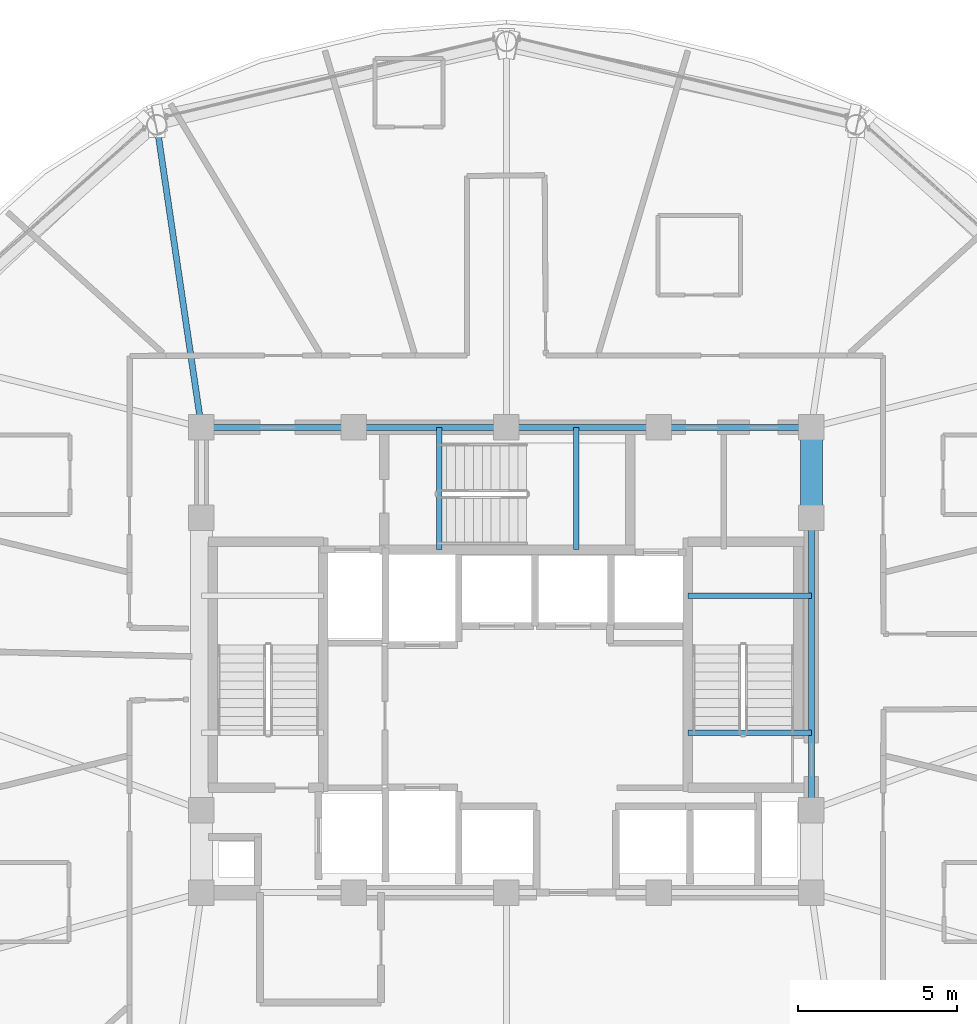
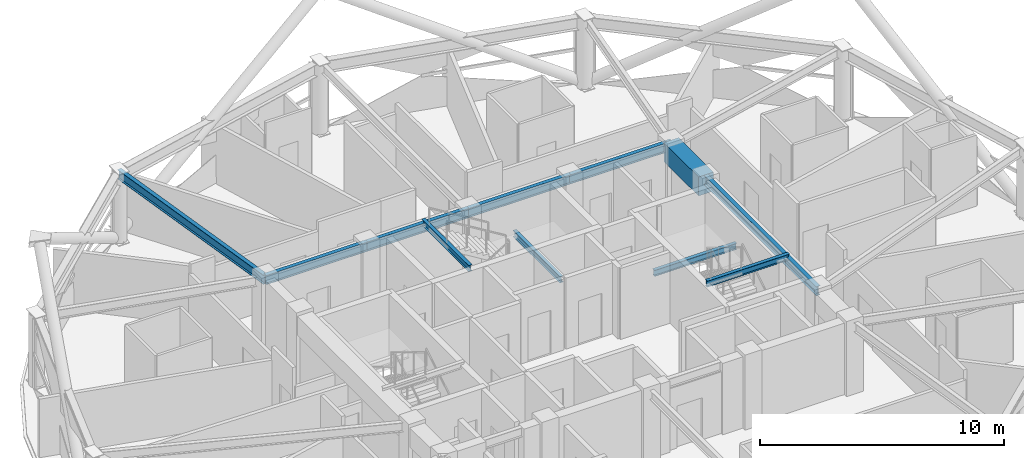
# One storey, part 10 of 29: 11 beams.
"""IFC4 building model written with IfcOpenShell, lengths in metres."""

from ifc_helpers import new_model, si_unit, direction, frame, origin, origin_2d, place, context, subcontext, project, spatial, rectangle, i_section, extrude, material, material_profile, profile_set, type_object, element, save


model = new_model("IFC4")

# Units and contexts
model_context = context("Model", 3, precision=1e-05, world=origin(), true_north=direction((0.0, 1.0)))
body_context = subcontext(model_context, "Body", "Model", "MODEL_VIEW")
ifc_project = project(units=[si_unit("LENGTHUNIT", "METRE"), si_unit("AREAUNIT", "SQUARE_METRE"), si_unit("VOLUMEUNIT", "CUBIC_METRE"), si_unit("PLANEANGLEUNIT", "RADIAN"), si_unit("MASSUNIT", "GRAM", prefix="KILO")], contexts=[model_context])

# Site, building, storey
site_placement = place(None, origin())
site = spatial("IfcSite", under=ifc_project, at=site_placement, CompositionType="ELEMENT")
building_placement = place(site_placement, origin())
building = spatial("IfcBuilding", under=site, at=building_placement, Name="Vantalir Tower", CompositionType="ELEMENT")
storey_placement = place(building_placement, frame((0.0, 0.0, 227.39990234375)))
storey = spatial("IfcBuildingStorey", under=building, at=storey_placement, Name="L57", CompositionType="ELEMENT", Elevation=227.39990234375)

# Beams
ifc_material_1 = material(Name="Concrete C60/75", Category="concrete")
ifc_material_profile_1 = material_profile(ifc_material_1, rectangle(XDim=0.699951171875, YDim=0.949951171875, at=origin_2d()), Name="Concrete C60/75")
ifc_profile_set_1 = profile_set([ifc_material_profile_1], Name="Concrete C60/75")
beam_type_1 = type_object("IfcBeamType", Name="BM-CB-700x950", PredefinedType="USERDEFINED", material=ifc_profile_set_1)
beam_1_placement = place(storey_placement, frame((41.10009765625, 29.60009765625, 3.09521484375), z_axis=(0.0, 1.0, 0.0), x_axis=(-1.0, 0.0, 0.0)))
element("IfcBeam", 1, at=beam_1_placement, inside=storey, type_object=beam_type_1, Name="L57 Core Coupling Girder 07", ObjectType="GIRDER", PredefinedType="USERDEFINED", context=body_context, shape_type="SweptSolid", body=[
    extrude(rectangle(XDim=0.699951171875, YDim=0.949951171875, at=origin_2d()), origin(), (0.0, 0.0, 1.0), 2.849853515625),
])
ifc_material_2 = material(Name="Steel S355", Category="steel")
ifc_material_profile_2 = material_profile(ifc_material_2, i_section(OverallWidth=0.166015625, OverallDepth=0.306884765625, WebThickness=0.006591796875, FlangeThickness=0.01171875, at=origin_2d()), Name="Steel S355")
ifc_profile_set_2 = profile_set([ifc_material_profile_2], Name="Steel S355")
beam_type_2 = type_object("IfcBeamType", Name="BM-JS-305x165", PredefinedType="JOIST", material=ifc_profile_set_2)
for number, where, z_axis, x_axis, name in (
    (2, (37.2099609375, 22.8349609375, 3.59619140625), (1.0, 0.0, 0.0), (0.0, 1.0, 0.0), "L58 Stair ST2 Well Nosing Trimmer Beam"),
    (3, (37.2099609375, 27.14501953125, 1.52099609375), (1.0, 0.0, 0.0), (0.0, 1.0, 0.0), "L57 Stair ST2 Half-Landing Support Beam"),
):
    element("IfcBeam", number, at=place(storey_placement, frame(where, z_axis=z_axis, x_axis=x_axis)), inside=storey, type_object=beam_type_2, Name=name, PredefinedType="JOIST", context=body_context, shape_type="SweptSolid", body=[
        extrude(i_section(OverallWidth=0.166015625, OverallDepth=0.306884765625, WebThickness=0.006591796875, FlangeThickness=0.01171875, at=origin_2d()), origin(), (0.0, 0.0, 1.0), 3.89013671875),
    ])
for number, where, z_axis, x_axis, name in (
    (4, (29.385009765625, 28.60009765625, 3.59619140625), (0.0, 1.0, 0.0), (-1.0, 0.0, 0.0), "L58 Stair ST3 Well Nosing Trimmer Beam"),
    (5, (33.695068359375, 28.60009765625, 1.52099609375), (0.0, 1.0, 0.0), (-1.0, 0.0, 0.0), "L57 Stair ST3 Half-Landing Support Beam"),
):
    element("IfcBeam", number, at=place(storey_placement, frame(where, z_axis=z_axis, x_axis=x_axis)), inside=storey, type_object=beam_type_2, Name=name, PredefinedType="JOIST", context=body_context, shape_type="SweptSolid", body=[
        extrude(i_section(OverallWidth=0.166015625, OverallDepth=0.306884765625, WebThickness=0.006591796875, FlangeThickness=0.01171875, at=origin_2d()), origin(), (0.0, 0.0, 1.0), 3.849853515625),
    ])
ifc_material_profile_3 = material_profile(ifc_material_2, i_section(OverallWidth=0.19189453125, OverallDepth=0.462890625, WebThickness=0.010498046875, FlangeThickness=0.017578125, at=origin_2d()), Name="Steel S355")
ifc_profile_set_3 = profile_set([ifc_material_profile_3], Name="Steel S355")
beam_type_3 = type_object("IfcBeamType", Name="BM-RB-457x191", PredefinedType="BEAM", material=ifc_profile_set_3)
beam_2_placement = place(storey_placement, frame((41.10009765625, 20.39990234375, 3.338134765625), z_axis=(0.0, 1.0, 0.0), x_axis=(-1.0, 0.0, 0.0)))
element("IfcBeam", 6, at=beam_2_placement, inside=storey, type_object=beam_type_3, Name="L57 Core Coupling Girder 06", PredefinedType="BEAM", context=body_context, shape_type="SweptSolid", body=[
    extrude(i_section(OverallWidth=0.19189453125, OverallDepth=0.462890625, WebThickness=0.010498046875, FlangeThickness=0.017578125, at=origin_2d()), origin(), (0.0, 0.0, 1.0), 9.2001953125),
])
for number, where, z_axis, x_axis, name in (
    (7, (41.10009765625, 32.449951171875, 3.338134765625), (-1.0, 0.0, 0.0), (0.0, -1.0, 0.0), "L57 Core Coupling Girder 08"),
    (8, (36.300048828125, 32.449951171875, 3.338134765625), (-1.0, 0.0, 0.0), (0.0, -1.0, 0.0), "L57 Core Coupling Girder 09"),
    (9, (31.5, 32.449951171875, 3.338134765625), (-1.0, 0.0, 0.0), (0.0, -1.0, 0.0), "L57 Core Coupling Girder 10"),
    (10, (26.699951171875, 32.449951171875, 3.338134765625), (-1.0, 0.0, 0.0), (0.0, -1.0, 0.0), "L57 Core Coupling Girder 11"),
):
    element("IfcBeam", number, at=place(storey_placement, frame(where, z_axis=z_axis, x_axis=x_axis)), inside=storey, type_object=beam_type_3, Name=name, PredefinedType="BEAM", context=body_context, shape_type="SweptSolid", body=[
        extrude(i_section(OverallWidth=0.19189453125, OverallDepth=0.462890625, WebThickness=0.010498046875, FlangeThickness=0.017578125, at=origin_2d()), origin(), (0.0, 0.0, 1.0), 4.800048828125),
    ])
beam_3_placement = place(storey_placement, frame((20.493896484375, 41.970947265625, 3.338134765625), z_axis=(0.146089890003, -0.989271319729, 0.0), x_axis=(0.989271319729, 0.146089890003, 0.0)))
element("IfcBeam", 11, at=beam_3_placement, inside=storey, type_object=beam_type_3, Name="L57 Radial Floor Beam 05", PredefinedType="BEAM", context=body_context, shape_type="SweptSolid", body=[
    extrude(i_section(OverallWidth=0.19189453125, OverallDepth=0.462890625, WebThickness=0.010498046875, FlangeThickness=0.017578125, at=origin_2d()), origin(), (0.0, 0.0, 1.0), 9.624267578125),
])

save(model, "model.ifc")
